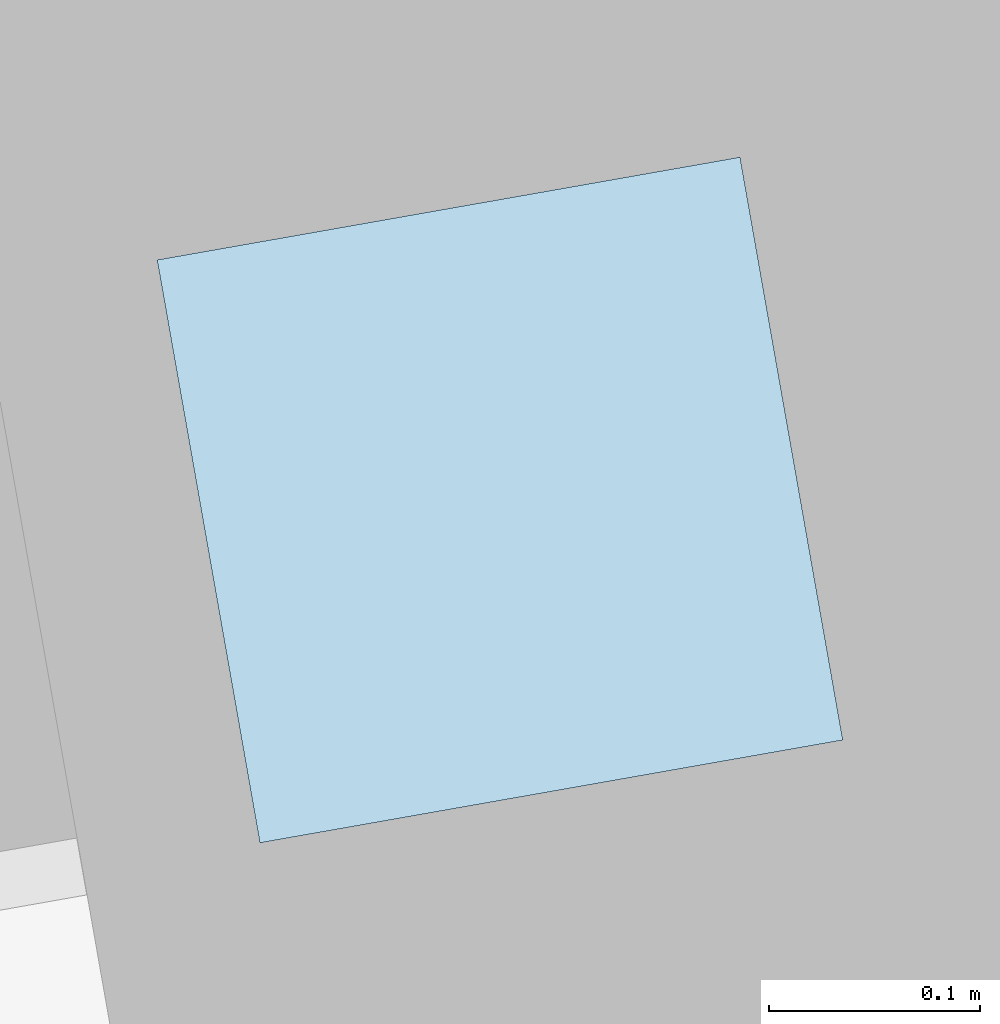
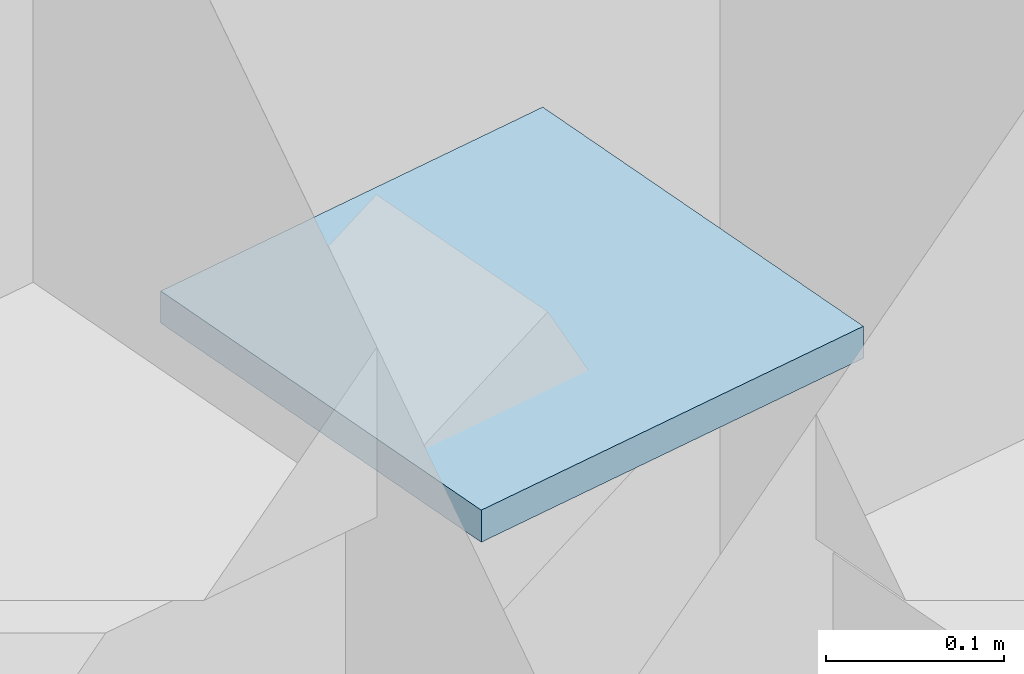
# One storey, part 26 of 39: 1 plate.
"""IFC4 building model written with IfcOpenShell, lengths in metres."""

from ifc_helpers import new_model, si_unit, direction, frame, origin, origin_2d, place, context, subcontext, project, spatial, rectangle, extrude, material, layer, layer_set, type_object, element, save


model = new_model("IFC4")

# Units and contexts
model_context = context("Model", 3, precision=1e-05, world=origin(), true_north=direction((0.0, 1.0)))
body_context = subcontext(model_context, "Body", "Model", "MODEL_VIEW")
ifc_project = project(units=[si_unit("LENGTHUNIT", "METRE"), si_unit("AREAUNIT", "SQUARE_METRE"), si_unit("VOLUMEUNIT", "CUBIC_METRE"), si_unit("PLANEANGLEUNIT", "RADIAN"), si_unit("MASSUNIT", "GRAM", prefix="KILO")], contexts=[model_context])

# Site, building, storey
site_placement = place(None, origin())
site = spatial("IfcSite", under=ifc_project, at=site_placement, CompositionType="ELEMENT")
building_placement = place(site_placement, origin())
building = spatial("IfcBuilding", under=site, at=building_placement, Name="Kharisveld Research Institute", CompositionType="ELEMENT")
storey_placement = place(building_placement, frame((0.0, 0.0, 23.10009765625)))
storey = spatial("IfcBuildingStorey", under=building, at=storey_placement, Name="L05", CompositionType="ELEMENT", Elevation=23.10009765625)

# Plate
ifc_material = material(Name="Steel S355JR", Category="steel")
ifc_layer = layer(ifc_material, 0.02197265625)
ifc_layer_set = layer_set([ifc_layer], Name="PL_CAP_C")
plate_type = type_object("IfcPlateType", Name="PL_CAP_C", PredefinedType="SHEET", material=ifc_layer_set)
plate_placement = place(storey_placement, frame((40.66162109375, 61.368408203125, 3.7490234375), z_axis=(0.0, 0.0, 1.0), x_axis=(0.984807753012, 0.173648177667, 0.0)))
element("IfcPlate", 1, at=plate_placement, inside=storey, type_object=plate_type, Name="PLT:V1:L05:CAP_5_3", PredefinedType="SHEET", context=body_context, shape_type="SweptSolid", body=[
    extrude(rectangle(XDim=0.280029296875, YDim=0.280029296875, at=origin_2d()), origin(), (0.0, 0.0, 1.0), 0.02197265625),
])

save(model, "model.ifc")
